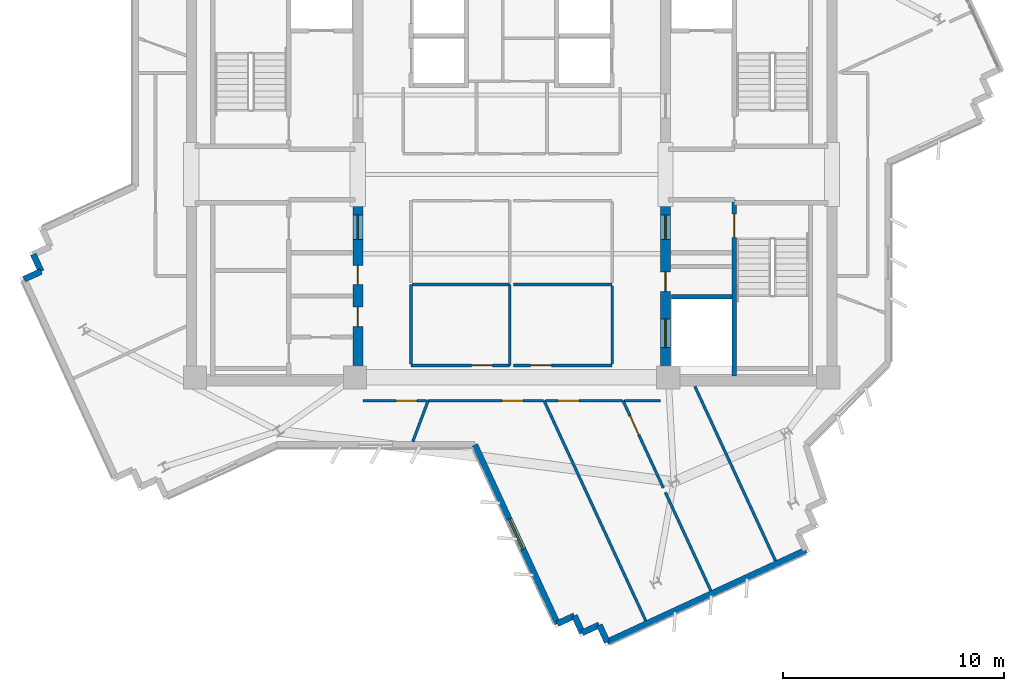
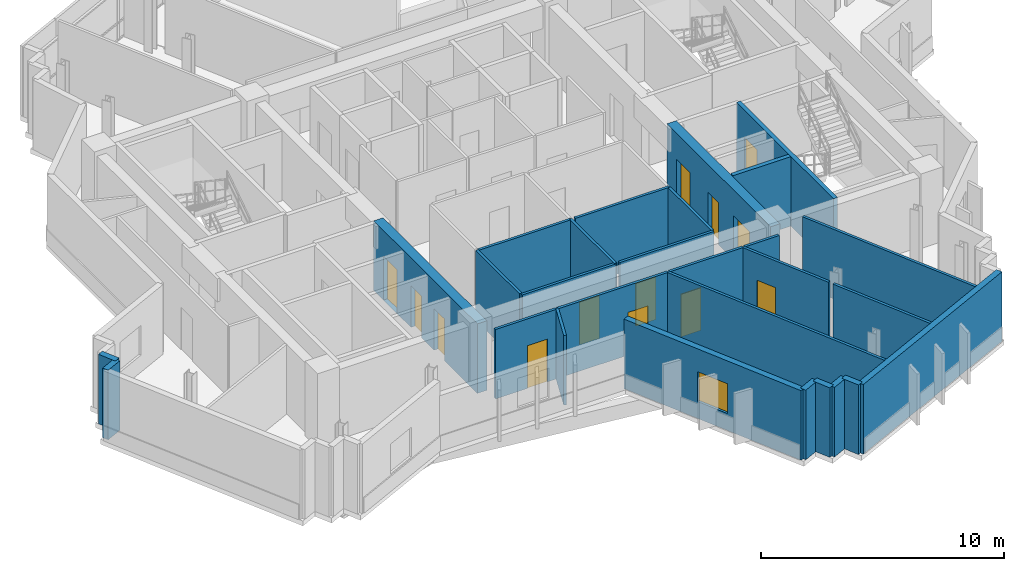
# One storey, part 5 of 12: 28 walls, 13 doors, 1 window, 14 openings.
"""IFC4 building model written with IfcOpenShell, lengths in metres."""

import ifcopenshell
import ifcopenshell.guid

model = None  # the IFC model being written
_history = None  # IfcOwnerHistory: only IFC2X3 demands one
_inside = {}  # id of a spatial element -> (the spatial element, [elements in it])
_under = {}  # id of a project, library or spatial element -> (it, [spatial elements below it])
_declared = {}  # id of a project -> (the project, [libraries it declares])
_typed = {}  # id of a type object -> (the type object, [elements of that type])
_made_of = {}  # id of a material, layer set ... -> (it, [elements and type objects made of it])


def new_model(schema):
    """Start an empty IFC model of exactly this schema.

    Asked for "IFC4X3", IfcOpenShell would pick the latest addendum, in which some entities
    have other attributes; the version numbers below select the first issue.
    IFC2X3 requires an IfcOwnerHistory on every rooted entity: one is made here for all.
    """
    global model, _history
    if schema == "IFC4X3":
        model = ifcopenshell.file(schema_version=(4, 3, 0, 0))
    else:
        model = ifcopenshell.file(schema=schema)
    _inside.clear()
    _under.clear()
    _declared.clear()
    _typed.clear()
    _made_of.clear()
    _history = None
    if model.schema == "IFC2X3":
        org = make("IfcOrganization", Name="unknown")
        user = make(
            "IfcPersonAndOrganization",
            ThePerson=make("IfcPerson", FamilyName="unknown"),
            TheOrganization=org,
        )
        app = make(
            "IfcApplication",
            ApplicationDeveloper=org,
            Version="unknown",
            ApplicationFullName="unknown",
            ApplicationIdentifier="unknown",
        )
        _history = make(
            "IfcOwnerHistory",
            OwningUser=user,
            OwningApplication=app,
            ChangeAction="ADDED",
            CreationDate=0,
        )
    return model


def make(cls, **values):
    """One entity of the class cls with the attributes given. An attribute that is None is left unset."""
    return model.create_entity(
        cls, **{name: value for name, value in values.items() if value is not None}
    )


def rooted(cls, **values):
    """An entity with a GlobalId (a new one), such as an element, a storey or a relation."""
    return make(cls, GlobalId=ifcopenshell.guid.new(), OwnerHistory=_history, **values)


def si_unit(unit_type, name, prefix=None):
    """IfcSIUnit, for example si_unit("LENGTHUNIT", "METRE", prefix="MILLI")."""
    return make("IfcSIUnit", UnitType=unit_type, Prefix=prefix, Name=name)


def assignment(units):
    """IfcUnitAssignment: the units of a project."""
    return None if units is None else make("IfcUnitAssignment", Units=units)


def point(xyz):
    """IfcCartesianPoint."""
    return None if xyz is None else make("IfcCartesianPoint", Coordinates=xyz)


def direction(xyz):
    """IfcDirection."""
    return None if xyz is None else make("IfcDirection", DirectionRatios=xyz)


def frame(location, z_axis=None, x_axis=None):
    """IfcAxis2Placement3D, a coordinate frame: its origin and axes. An axis left out is left unset."""
    return make(
        "IfcAxis2Placement3D",
        Location=point(location),
        Axis=direction(z_axis),
        RefDirection=direction(x_axis),
    )


def frame_2d(location, x_axis=None):
    """IfcAxis2Placement2D, a coordinate frame in the plane: its origin and x axis."""
    return make(
        "IfcAxis2Placement2D", Location=point(location), RefDirection=direction(x_axis)
    )


def origin():
    """The frame at (0, 0, 0) with its axes left unset."""
    return frame((0.0, 0.0, 0.0))


def place(relative_to, where):
    """IfcLocalPlacement: puts the frame where relative to a parent placement (None: the world)."""
    return make(
        "IfcLocalPlacement", PlacementRelTo=relative_to, RelativePlacement=where
    )


def context(
    kind, dimensions, precision=None, world=None, true_north=None, identifier=None
):
    """IfcGeometricRepresentationContext, for example the 3D "Model" context."""
    return make(
        "IfcGeometricRepresentationContext",
        ContextIdentifier=identifier,
        ContextType=kind,
        CoordinateSpaceDimension=dimensions,
        Precision=precision,
        WorldCoordinateSystem=world,
        TrueNorth=true_north,
    )


def subcontext(parent, identifier, kind, view, scale=None):
    """IfcGeometricRepresentationSubContext, for example "Body" below "Model"."""
    return make(
        "IfcGeometricRepresentationSubContext",
        ContextIdentifier=identifier,
        ContextType=kind,
        ParentContext=parent,
        TargetScale=scale,
        TargetView=view,
    )


def project(units=None, contexts=None):
    """IfcProject with its units and contexts."""
    return rooted(
        "IfcProject",
        Name="project",
        RepresentationContexts=contexts,
        UnitsInContext=assignment(units),
    )


def spatial(cls, under=None, at=None, **own):
    """A site, building, storey or space (cls), placed at a placement, below another one or the project."""
    s = rooted(cls, ObjectPlacement=at, **own)
    if under is not None:
        _under.setdefault(under.id(), (under, []))[1].append(s)
    return s


def profile(cls, at=None, kind="AREA", **sizes):
    """A parametric profile (cls). Its sizes go by their IFC names, for example OverallWidth=200.0."""
    return make(cls, ProfileType=kind, Position=at, **sizes)


def rectangle(**sizes):
    """IfcRectangleProfileDef."""
    return profile("IfcRectangleProfileDef", **sizes)


def extrude(swept, where, along, depth):
    """IfcExtrudedAreaSolid: the profile swept, set in the frame where, extruded along a direction by depth."""
    return make(
        "IfcExtrudedAreaSolid",
        SweptArea=swept,
        Position=where,
        ExtrudedDirection=direction(along),
        Depth=depth,
    )


def shape(context_of_items, identifier, shape_type, items):
    """IfcShapeRepresentation: the items that make up one representation, for example the "Body"."""
    return make(
        "IfcShapeRepresentation",
        ContextOfItems=context_of_items,
        RepresentationIdentifier=identifier,
        RepresentationType=shape_type,
        Items=items,
    )


def source(mapping_origin, context_of_items, identifier, shape_type, items):
    """IfcRepresentationMap: a shape defined once, which mapped items show again and again."""
    return make(
        "IfcRepresentationMap",
        MappingOrigin=mapping_origin,
        MappedRepresentation=shape(context_of_items, identifier, shape_type, items),
    )


def transform(
    local_origin,
    x_axis=None,
    y_axis=None,
    z_axis=None,
    scale=None,
    scale2=None,
    scale3=None,
    uniform=True,
):
    """IfcCartesianTransformationOperator3D, or its non-uniform kind. x_axis, y_axis, z_axis: its Axis1, 2, 3."""
    if uniform:
        return make(
            "IfcCartesianTransformationOperator3D",
            Axis1=direction(x_axis),
            Axis2=direction(y_axis),
            LocalOrigin=point(local_origin),
            Scale=scale,
            Axis3=direction(z_axis),
        )
    return make(
        "IfcCartesianTransformationOperator3DnonUniform",
        Axis1=direction(x_axis),
        Axis2=direction(y_axis),
        LocalOrigin=point(local_origin),
        Scale=scale,
        Axis3=direction(z_axis),
        Scale2=scale2,
        Scale3=scale3,
    )


def mapped(mapping_source, mapping_target):
    """IfcMappedItem: shows the shape of a source again, moved by a transform."""
    return make(
        "IfcMappedItem", MappingSource=mapping_source, MappingTarget=mapping_target
    )


def material(Name=None, Category=None):
    """IfcMaterial."""
    return make("IfcMaterial", Name=Name, Category=Category)


def layer(
    of_material, thickness, ventilated=None, Name=None, Category=None, Priority=None
):
    """IfcMaterialLayer: one layer of a wall or slab, of a material (None: an air gap)."""
    return make(
        "IfcMaterialLayer",
        Material=of_material,
        LayerThickness=thickness,
        IsVentilated=ventilated,
        Name=Name,
        Category=Category,
        Priority=Priority,
    )


def layer_set(layers, Name=None):
    """IfcMaterialLayerSet."""
    return make("IfcMaterialLayerSet", MaterialLayers=layers, LayerSetName=Name)


def made_of(thing, what):
    """Note that an element or type object is made of a material, layer set ...; save() writes the relation."""
    if what is not None:
        _made_of.setdefault(what.id(), (what, []))[1].append(thing)
    return thing


def type_object(cls, material=None, **own):
    """A type object (cls), such as IfcWallType, which elements share."""
    return made_of(rooted(cls, **own), material)


def element(
    cls,
    number,
    at=None,
    inside=None,
    cuts=None,
    type_object=None,
    material=None,
    context=None,
    identifier="Body",
    shape_type=None,
    held_by="IfcProductDefinitionShape",
    body=None,
    shapes=None,
    **own,
):
    """One element of the class cls, such as IfcWall. Its Tag is "e" and its number.

    at: its placement. inside: the storey or other place that contains it. cuts: it is an
    opening in that element (IfcRelVoidsElement). A single representation is given by context,
    identifier, shape_type and body (its items); several are given by shapes. held_by: the class
    of the entity that holds the representations. save() writes the other relations.
    """
    e = rooted(cls, Tag="e%d" % number, ObjectPlacement=at, **own)
    if body is not None:
        shapes = [shape(context, identifier, shape_type, body)]
    if shapes is not None:
        e.Representation = make(held_by, Representations=shapes)
    if inside is not None:
        _inside.setdefault(inside.id(), (inside, []))[1].append(e)
    if cuts is not None:
        rooted(
            "IfcRelVoidsElement", RelatingBuildingElement=cuts, RelatedOpeningElement=e
        )
    if type_object is not None:
        _typed.setdefault(type_object.id(), (type_object, []))[1].append(e)
    return made_of(e, material)


def fill(opening, filler):
    """IfcRelFillsElement: the door or window that sits in an opening."""
    return rooted(
        "IfcRelFillsElement",
        RelatingOpeningElement=opening,
        RelatedBuildingElement=filler,
    )


def aggregate(whole, parts):
    """IfcRelAggregates: a whole, such as a stair, and the parts it consists of."""
    return rooted("IfcRelAggregates", RelatingObject=whole, RelatedObjects=parts)


def save(model, path):
    """Write the relations noted so far, then the file.

    IfcRelAggregates (storeys below a building ...), IfcRelContainedInSpatialStructure (elements
    in a storey), IfcRelDefinesByType, IfcRelAssociatesMaterial and IfcRelDeclares: one each for
    every whole, place, type object, material and project.
    """
    for whole, parts in _under.values():
        aggregate(whole, parts)
    for where, things in _inside.values():
        rooted(
            "IfcRelContainedInSpatialStructure",
            RelatedElements=things,
            RelatingStructure=where,
        )
    for kind, things in _typed.values():
        rooted("IfcRelDefinesByType", RelatedObjects=things, RelatingType=kind)
    for what, things in _made_of.values():
        rooted("IfcRelAssociatesMaterial", RelatedObjects=things, RelatingMaterial=what)
    for by, libraries in _declared.values():
        rooted("IfcRelDeclares", RelatingContext=by, RelatedDefinitions=libraries)
    model.write(path)


model = new_model("IFC4")

# Units and contexts
model_context = context("Model", 3, precision=1e-05, world=origin(), true_north=direction((0.0, 1.0)))
body_context = subcontext(model_context, "Body", "Model", "MODEL_VIEW")
ifc_project = project(units=[si_unit("LENGTHUNIT", "METRE"), si_unit("AREAUNIT", "SQUARE_METRE"), si_unit("VOLUMEUNIT", "CUBIC_METRE"), si_unit("PLANEANGLEUNIT", "RADIAN"), si_unit("MASSUNIT", "GRAM", prefix="KILO")], contexts=[model_context])

# Site, building, storey
site_placement = place(None, origin())
site = spatial("IfcSite", under=ifc_project, at=site_placement, CompositionType="ELEMENT")
building_placement = place(site_placement, origin())
building = spatial("IfcBuilding", under=site, at=building_placement, Name="Zahravan Cultural Tower", CompositionType="ELEMENT")
storey_placement = place(building_placement, frame((0.0, 0.0, 242.85009765625)))
storey = spatial("IfcBuildingStorey", under=building, at=storey_placement, Name="L57", CompositionType="ELEMENT", Elevation=242.85009765625)

# Wall, openings, doors
ifc_material_1 = material(Name="Concrete C50/60", Category="concrete")
ifc_layer_1 = layer(ifc_material_1, 0.449951171875)
ifc_layer_set_1 = layer_set([ifc_layer_1], Name="Concrete C50/60")
wall_type_1 = type_object("IfcWallType", Name="CW-SHEAR-450-C50", PredefinedType="SHEAR", material=ifc_layer_set_1)
wall_1_placement = place(storey_placement, frame((29.02490234375, 17.39990234375, 0.0), z_axis=(0.0, 0.0, 1.0), x_axis=(0.0, 1.0, 0.0)))
wall_1 = element("IfcWall", 1, at=wall_1_placement, inside=storey, type_object=wall_type_1, Name="L57 Core Shear Wall CW-W-ES-L57", PredefinedType="SHEAR", context=body_context, shape_type="SweptSolid", body=[
    extrude(rectangle(XDim=8.550048828125, YDim=0.449951171875, at=frame_2d((4.27490234375, 0.0))), origin(), (0.0, 0.0, 1.0), 3.5),
])
opening_1_placement = place(wall_1_placement, frame((6.64990234375, 0.0, 0.0)))
opening_1 = element("IfcOpeningElement", 2, at=opening_1_placement, cuts=wall_1, Name="Opening D-L57-08", PredefinedType="OPENING", context=body_context, shape_type="SweptSolid", body=[
    extrude(rectangle(XDim=1.10009765625, YDim=2.199951171875, at=frame_2d((0.550048828125, 1.10009765625))), frame((0.0, 0.23486328125, 0.0), z_axis=(0.0, -1.0, 0.0), x_axis=(1.0, 0.0, 0.0)), (0.0, 0.0, 1.0), 0.469970703125),
])
opening_2_placement = place(wall_1_placement, frame((2.699951171875, 0.0, 0.0)))
opening_2 = element("IfcOpeningElement", 3, at=opening_2_placement, cuts=wall_1, Name="Opening D-L57-11", PredefinedType="OPENING", context=body_context, shape_type="SweptSolid", body=[
    extrude(rectangle(XDim=0.8798828125, YDim=2.10009765625, at=frame_2d((0.43994140625, 1.050048828125))), frame((0.0, 0.23486328125, 0.0), z_axis=(0.0, -1.0, 0.0), x_axis=(1.0, 0.0, 0.0)), (0.0, 0.0, 1.0), 0.469970703125),
])
opening_3_placement = place(wall_1_placement, frame((4.60009765625, 0.0, 0.0)))
opening_3 = element("IfcOpeningElement", 4, at=opening_3_placement, cuts=wall_1, Name="Opening D-L57-12", PredefinedType="OPENING", context=body_context, shape_type="SweptSolid", body=[
    extrude(rectangle(XDim=0.8798828125, YDim=2.10009765625, at=frame_2d((0.43994140625, 1.050048828125))), frame((0.0, 0.23486328125, 0.0), z_axis=(0.0, -1.0, 0.0), x_axis=(1.0, 0.0, 0.0)), (0.0, 0.0, 1.0), 0.469970703125),
])
ifc_material_2 = material(Name="Steel ASTM A572 Grade 50", Category="steel")
door_type_1 = type_object("IfcDoorType", Name="DR-LOBBY-1100", OperationType="NOTDEFINED", PredefinedType="DOOR", material=ifc_material_2)
shared_shape_1 = source(origin(), body_context, "Body", "SweptSolid", [
    extrude(rectangle(XDim=1.10009765625, YDim=2.199951171875, at=frame_2d((0.550048828125, 1.10009765625))), frame((0.0, 0.02490234375, 0.0), z_axis=(0.0, -1.0, 0.0), x_axis=(1.0, 0.0, 0.0)), (0.0, 0.0, 1.0), 0.050048828125),
])
door_1_placement = place(opening_1_placement, origin())
door_1 = element("IfcDoor", 5, at=door_1_placement, inside=storey, type_object=door_type_1, Name="L57 Door D-L57-08", OperationType="SINGLE_SWING_RIGHT", OverallHeight=2.199951171875, OverallWidth=1.10009765625, PredefinedType="DOOR", context=body_context, shape_type="MappedRepresentation", body=[
    mapped(shared_shape_1, transform((0.0, 0.0, 0.0), x_axis=(1.0, 0.0, 0.0), y_axis=(0.0, 1.0, 0.0), z_axis=(0.0, 0.0, 1.0), scale=1.0)),
])
fill(opening_1, door_1)
door_type_2 = type_object("IfcDoorType", Name="DR-SVC-880", OperationType="NOTDEFINED", PredefinedType="DOOR", material=ifc_material_2)
shared_shape_2 = source(origin(), body_context, "Body", "SweptSolid", [
    extrude(rectangle(XDim=0.8798828125, YDim=2.10009765625, at=frame_2d((0.43994140625, 1.050048828125))), frame((0.0, 0.02490234375, 0.0), z_axis=(0.0, -1.0, 0.0), x_axis=(1.0, 0.0, 0.0)), (0.0, 0.0, 1.0), 0.050048828125),
])
door_2_placement = place(opening_2_placement, origin())
door_2 = element("IfcDoor", 6, at=door_2_placement, inside=storey, type_object=door_type_2, Name="L57 Door D-L57-11", OperationType="SINGLE_SWING_LEFT", OverallHeight=2.10009765625, OverallWidth=0.8798828125, PredefinedType="DOOR", context=body_context, shape_type="MappedRepresentation", body=[
    mapped(shared_shape_2, transform((0.0, 0.0, 0.0), x_axis=(1.0, 0.0, 0.0), y_axis=(0.0, 1.0, 0.0), z_axis=(0.0, 0.0, 1.0), scale=1.0)),
])
fill(opening_2, door_2)
door_3_placement = place(opening_3_placement, origin())
door_3 = element("IfcDoor", 7, at=door_3_placement, inside=storey, type_object=door_type_2, Name="L57 Door D-L57-12", OperationType="SINGLE_SWING_RIGHT", OverallHeight=2.10009765625, OverallWidth=0.8798828125, PredefinedType="DOOR", context=body_context, shape_type="MappedRepresentation", body=[
    mapped(shared_shape_2, transform((0.0, 0.0, 0.0), x_axis=(1.0, 0.0, 0.0), y_axis=(0.0, 1.0, 0.0), z_axis=(0.0, 0.0, 1.0), scale=1.0)),
])
fill(opening_3, door_3)

wall_2_placement = place(storey_placement, frame((42.97509765625, 17.39990234375, 0.0), z_axis=(0.0, 0.0, 1.0), x_axis=(0.0, 1.0, 0.0)))
wall_2 = element("IfcWall", 8, at=wall_2_placement, inside=storey, type_object=wall_type_1, Name="L57 Core Shear Wall CW-E-WS-L57", PredefinedType="SHEAR", context=body_context, shape_type="SweptSolid", body=[
    extrude(rectangle(XDim=8.550048828125, YDim=0.449951171875, at=frame_2d((4.27490234375, 0.0))), origin(), (0.0, 0.0, 1.0), 3.5),
])
opening_4_placement = place(wall_2_placement, frame((6.64990234375, 0.0, 0.0)))
opening_4 = element("IfcOpeningElement", 9, at=opening_4_placement, cuts=wall_2, Name="Opening D-L57-09", PredefinedType="OPENING", context=body_context, shape_type="SweptSolid", body=[
    extrude(rectangle(XDim=1.10009765625, YDim=2.199951171875, at=frame_2d((0.550048828125, 1.10009765625))), frame((0.0, 0.23486328125, 0.0), z_axis=(0.0, -1.0, 0.0), x_axis=(1.0, 0.0, 0.0)), (0.0, 0.0, 1.0), 0.469970703125),
])
opening_5_placement = place(wall_2_placement, frame((1.75, 0.0, 0.0)))
opening_5 = element("IfcOpeningElement", 10, at=opening_5_placement, cuts=wall_2, Name="Opening LD-L57-03", PredefinedType="OPENING", context=body_context, shape_type="SweptSolid", body=[
    extrude(rectangle(XDim=1.300048828125, YDim=2.199951171875, at=frame_2d((0.64990234375, 1.10009765625))), frame((0.0, 0.23486328125, 0.0), z_axis=(0.0, -1.0, 0.0), x_axis=(1.0, 0.0, 0.0)), (0.0, 0.0, 1.0), 0.469970703125),
])
opening_6_placement = place(wall_2_placement, frame((4.300048828125, 0.0, 0.0)))
opening_6 = element("IfcOpeningElement", 11, at=opening_6_placement, cuts=wall_2, Name="Opening D-L57-13", PredefinedType="OPENING", context=body_context, shape_type="SweptSolid", body=[
    extrude(rectangle(XDim=0.8798828125, YDim=2.10009765625, at=frame_2d((0.43994140625, 1.050048828125))), frame((0.0, 0.23486328125, 0.0), z_axis=(0.0, -1.0, 0.0), x_axis=(1.0, 0.0, 0.0)), (0.0, 0.0, 1.0), 0.469970703125),
])
door_4_placement = place(opening_4_placement, origin())
door_4 = element("IfcDoor", 12, at=door_4_placement, inside=storey, type_object=door_type_1, Name="L57 Door D-L57-09", OperationType="SINGLE_SWING_LEFT", OverallHeight=2.199951171875, OverallWidth=1.10009765625, PredefinedType="DOOR", context=body_context, shape_type="MappedRepresentation", body=[
    mapped(shared_shape_1, transform((0.0, 0.0, 0.0), x_axis=(1.0, 0.0, 0.0), y_axis=(0.0, 1.0, 0.0), z_axis=(0.0, 0.0, 1.0), scale=1.0)),
])
fill(opening_4, door_4)
door_type_3 = type_object("IfcDoorType", Name="DR-LIFT-1300", OperationType="DOUBLE_DOOR_SLIDING", PredefinedType="DOOR", material=ifc_material_2)
shared_shape_3 = source(origin(), body_context, "Body", "SweptSolid", [
    extrude(rectangle(XDim=1.300048828125, YDim=2.199951171875, at=frame_2d((0.64990234375, 1.10009765625))), frame((0.0, 0.02490234375, 0.0), z_axis=(0.0, -1.0, 0.0), x_axis=(1.0, 0.0, 0.0)), (0.0, 0.0, 1.0), 0.050048828125),
])
door_5_placement = place(opening_5_placement, origin())
door_5 = element("IfcDoor", 13, at=door_5_placement, inside=storey, type_object=door_type_3, Name="L57 Door LD-L57-03", OperationType="DOUBLE_DOOR_SLIDING", OverallHeight=2.199951171875, OverallWidth=1.300048828125, PredefinedType="DOOR", context=body_context, shape_type="MappedRepresentation", body=[
    mapped(shared_shape_3, transform((0.0, 0.0, 0.0), x_axis=(1.0, 0.0, 0.0), y_axis=(0.0, 1.0, 0.0), z_axis=(0.0, 0.0, 1.0), scale=1.0)),
])
fill(opening_5, door_5)
door_6_placement = place(opening_6_placement, origin())
door_6 = element("IfcDoor", 14, at=door_6_placement, inside=storey, type_object=door_type_2, Name="L57 Door D-L57-13", OperationType="SINGLE_SWING_LEFT", OverallHeight=2.10009765625, OverallWidth=0.8798828125, PredefinedType="DOOR", context=body_context, shape_type="MappedRepresentation", body=[
    mapped(shared_shape_2, transform((0.0, 0.0, 0.0), x_axis=(1.0, 0.0, 0.0), y_axis=(0.0, 1.0, 0.0), z_axis=(0.0, 0.0, 1.0), scale=1.0)),
])
fill(opening_6, door_6)

# Wall, opening, window
ifc_material_3 = material(Name="Precast concrete C40/50", Category="concrete")
ifc_layer_2 = layer(ifc_material_3, 0.280029296875)
ifc_layer_set_2 = layer_set([ifc_layer_2], Name="Precast concrete C40/50")
wall_type_2 = type_object("IfcWallType", Name="EW-TC-280", PredefinedType="SOLIDWALL", material=ifc_layer_set_2)
wall_3_placement = place(storey_placement, frame((38.07470703125, 6.6318359375, 0.0), z_axis=(0.0, 0.0, 1.0), x_axis=(-0.419437747849, 0.90778410191, 0.0)))
wall_3 = element("IfcWall", 15, at=wall_3_placement, inside=storey, type_object=wall_type_2, Name="L57 Exterior Masonry Frame Wall 23", PredefinedType="SOLIDWALL", context=body_context, shape_type="SweptSolid", body=[
    extrude(rectangle(XDim=8.931884765625, YDim=0.280029296875, at=frame_2d((4.4658203125, 0.0))), origin(), (0.0, 0.0, 1.0), 3.5),
])
opening_7_placement = place(wall_3_placement, frame((3.716064453125, 0.0, 0.85009765625)))
opening_7 = element("IfcOpeningElement", 16, at=opening_7_placement, cuts=wall_3, Name="Opening WN-03", PredefinedType="OPENING", context=body_context, shape_type="SweptSolid", body=[
    extrude(rectangle(XDim=1.5, YDim=1.5, at=frame_2d((0.75, 0.75))), frame((0.0, 0.14990234375, 0.0), z_axis=(0.0, -1.0, 0.0), x_axis=(1.0, 0.0, 0.0)), (0.0, 0.0, 1.0), 0.300048828125),
])
ifc_material_4 = material(Name="Low-E solar-control double glazing", Category="glass")
window_type = type_object("IfcWindowType", Name="WN-REC-1500X1500", PartitioningType="SINGLE_PANEL", PredefinedType="WINDOW", material=ifc_material_4)
shared_shape_4 = source(origin(), body_context, "Body", "SweptSolid", [
    extrude(rectangle(XDim=1.5, YDim=1.5, at=frame_2d((0.75, 0.75))), frame((0.0, 0.030029296875, 0.0), z_axis=(0.0, -1.0, 0.0), x_axis=(1.0, 0.0, 0.0)), (0.0, 0.0, 1.0), 0.06005859375),
])
window_placement = place(opening_7_placement, origin())
window = element("IfcWindow", 17, at=window_placement, inside=storey, type_object=window_type, Name="L57 Recessed Solar Window 05", OverallHeight=1.5, OverallWidth=1.5, PartitioningType="SINGLE_PANEL", PredefinedType="WINDOW", context=body_context, shape_type="MappedRepresentation", body=[
    mapped(shared_shape_4, transform((0.0, 0.0, 0.0), x_axis=(1.0, 0.0, 0.0), y_axis=(0.0, 1.0, 0.0), z_axis=(0.0, 0.0, 1.0), scale=1.0)),
])
fill(opening_7, window)

# Wall, opening, door
ifc_material_5 = material(Name="Gypsum plasterboard partition")
ifc_layer_3 = layer(ifc_material_5, 0.125)
ifc_layer_set_3 = layer_set([ifc_layer_3], Name="Gypsum plasterboard partition")
wall_type_3 = type_object("IfcWallType", Name="W-PART-125", PredefinedType="PARTITIONING", material=ifc_layer_set_3)
wall_4_placement = place(storey_placement, frame((35.909912109375, 18.340087890625, 0.0), z_axis=(0.0, 0.0, 1.0), x_axis=(-1.0, 0.0, 0.0)))
wall_4 = element("IfcWall", 18, at=wall_4_placement, inside=storey, type_object=wall_type_3, Name="L57 Interior Wall 058", PredefinedType="PARTITIONING", context=body_context, shape_type="SweptSolid", body=[
    extrude(rectangle(XDim=4.469970703125, YDim=0.125, at=frame_2d((2.23486328125, 0.0))), origin(), (0.0, 0.0, 1.0), 3.5),
])
opening_8_placement = place(wall_4_placement, frame((0.7744140625, 0.0, 0.0)))
opening_8 = element("IfcOpeningElement", 19, at=opening_8_placement, cuts=wall_4, Name="Opening D-L57-14", PredefinedType="OPENING", context=body_context, shape_type="SweptSolid", body=[
    extrude(rectangle(XDim=0.949951171875, YDim=2.14990234375, at=frame_2d((0.47509765625, 1.074951171875))), frame((0.0, 0.072509765625, 0.0), z_axis=(0.0, -1.0, 0.0), x_axis=(1.0, 0.0, 0.0)), (0.0, 0.0, 1.0), 0.14501953125),
])
ifc_material_6 = material(Name="Anodised bronze-aluminium mullion", Category="aluminium")
door_type_4 = type_object("IfcDoorType", Name="DR-ROOM-950", OperationType="NOTDEFINED", PredefinedType="DOOR", material=ifc_material_6)
shared_shape_5 = source(origin(), body_context, "Body", "SweptSolid", [
    extrude(rectangle(XDim=0.949951171875, YDim=2.14990234375, at=frame_2d((0.47509765625, 1.074951171875))), frame((0.0, 0.02490234375, 0.0), z_axis=(0.0, -1.0, 0.0), x_axis=(1.0, 0.0, 0.0)), (0.0, 0.0, 1.0), 0.050048828125),
])
door_7_placement = place(opening_8_placement, origin())
door_7 = element("IfcDoor", 20, at=door_7_placement, inside=storey, type_object=door_type_4, Name="L57 Door D-L57-14", OperationType="SINGLE_SWING_RIGHT", OverallHeight=2.14990234375, OverallWidth=0.949951171875, PredefinedType="DOOR", context=body_context, shape_type="MappedRepresentation", body=[
    mapped(shared_shape_5, transform((0.0, 0.0, 0.0), x_axis=(1.0, 0.0, 0.0), y_axis=(0.0, 1.0, 0.0), z_axis=(0.0, 0.0, 1.0), scale=1.0)),
])
fill(opening_8, door_7)

wall_5_placement = place(storey_placement, frame((40.56005859375, 18.340087890625, 0.0), z_axis=(0.0, 0.0, 1.0), x_axis=(-1.0, 0.0, 0.0)))
wall_5 = element("IfcWall", 21, at=wall_5_placement, inside=storey, type_object=wall_type_3, Name="L57 Interior Wall 062", PredefinedType="PARTITIONING", context=body_context, shape_type="SweptSolid", body=[
    extrude(rectangle(XDim=4.469970703125, YDim=0.125, at=frame_2d((2.23486328125, 0.0))), origin(), (0.0, 0.0, 1.0), 3.5),
])
opening_9_placement = place(wall_5_placement, frame((2.74560546875, 0.0, 0.0)))
opening_9 = element("IfcOpeningElement", 22, at=opening_9_placement, cuts=wall_5, Name="Opening D-L57-16", PredefinedType="OPENING", context=body_context, shape_type="SweptSolid", body=[
    extrude(rectangle(XDim=0.949951171875, YDim=2.14990234375, at=frame_2d((0.47509765625, 1.074951171875))), frame((0.0, 0.072509765625, 0.0), z_axis=(0.0, -1.0, 0.0), x_axis=(1.0, 0.0, 0.0)), (0.0, 0.0, 1.0), 0.14501953125),
])
door_8_placement = place(opening_9_placement, origin())
door_8 = element("IfcDoor", 23, at=door_8_placement, inside=storey, type_object=door_type_4, Name="L57 Door D-L57-16", OperationType="SINGLE_SWING_RIGHT", OverallHeight=2.14990234375, OverallWidth=0.949951171875, PredefinedType="DOOR", context=body_context, shape_type="MappedRepresentation", body=[
    mapped(shared_shape_5, transform((0.0, 0.0, 0.0), x_axis=(1.0, 0.0, 0.0), y_axis=(0.0, 1.0, 0.0), z_axis=(0.0, 0.0, 1.0), scale=1.0)),
])
fill(opening_9, door_8)

wall_6_placement = place(storey_placement, frame((42.877197265625, 12.78369140625, 0.0), z_axis=(0.0, 0.0, 1.0), x_axis=(-0.419416941906, 0.907793714917, 0.0)))
wall_6 = element("IfcWall", 24, at=wall_6_placement, inside=storey, type_object=wall_type_3, Name="L57 Interior Wall 075", PredefinedType="PARTITIONING", context=body_context, shape_type="SweptSolid", body=[
    extrude(rectangle(XDim=4.358154296875, YDim=0.125, at=frame_2d((2.17919921875, 0.0))), origin(), (0.0, 0.0, 1.0), 3.5),
])
opening_10_placement = place(wall_6_placement, frame((2.658203125, 0.0, 0.0)))
opening_10 = element("IfcOpeningElement", 25, at=opening_10_placement, cuts=wall_6, Name="Opening D-L57-34", PredefinedType="OPENING", context=body_context, shape_type="SweptSolid", body=[
    extrude(rectangle(XDim=0.949951171875, YDim=2.14990234375, at=frame_2d((0.47509765625, 1.074951171875))), frame((0.0, 0.072509765625, 0.0), z_axis=(0.0, -1.0, 0.0), x_axis=(1.0, 0.0, 0.0)), (0.0, 0.0, 1.0), 0.14501953125),
])
door_9_placement = place(opening_10_placement, origin())
door_9 = element("IfcDoor", 26, at=door_9_placement, inside=storey, type_object=door_type_4, Name="L57 Door D-L57-34", OperationType="SINGLE_SWING_RIGHT", OverallHeight=2.14990234375, OverallWidth=0.949951171875, PredefinedType="DOOR", context=body_context, shape_type="MappedRepresentation", body=[
    mapped(shared_shape_5, transform((0.0, 0.0, 0.0), x_axis=(1.0, 0.0, 0.0), y_axis=(0.0, 1.0, 0.0), z_axis=(0.0, 0.0, 1.0), scale=1.0)),
])
fill(opening_10, door_9)

wall_7_placement = place(storey_placement, frame((37.54345703125, 16.739990234375, 0.0), z_axis=(0.0, 0.0, 1.0), x_axis=(1.0, 0.0, 0.0)))
wall_7 = element("IfcWall", 27, at=wall_7_placement, inside=storey, type_object=wall_type_3, Name="L57 Interior Wall 079", PredefinedType="PARTITIONING", context=body_context, shape_type="SweptSolid", body=[
    extrude(rectangle(XDim=3.483642578125, YDim=0.125, at=frame_2d((1.74169921875, 0.0))), origin(), (0.0, 0.0, 1.0), 3.5),
])
opening_11_placement = place(wall_7_placement, frame((0.557373046875, 0.0, 0.0)))
opening_11 = element("IfcOpeningElement", 28, at=opening_11_placement, cuts=wall_7, Name="Opening D-L57-30", PredefinedType="OPENING", context=body_context, shape_type="SweptSolid", body=[
    extrude(rectangle(XDim=0.949951171875, YDim=2.14990234375, at=frame_2d((0.47509765625, 1.074951171875))), frame((0.0, 0.072509765625, 0.0), z_axis=(0.0, -1.0, 0.0), x_axis=(1.0, 0.0, 0.0)), (0.0, 0.0, 1.0), 0.14501953125),
])
door_10_placement = place(opening_11_placement, origin())
door_10 = element("IfcDoor", 29, at=door_10_placement, inside=storey, type_object=door_type_4, Name="L57 Door D-L57-30", OperationType="SINGLE_SWING_RIGHT", OverallHeight=2.14990234375, OverallWidth=0.949951171875, PredefinedType="DOOR", context=body_context, shape_type="MappedRepresentation", body=[
    mapped(shared_shape_5, transform((0.0, 0.0, 0.0), x_axis=(1.0, 0.0, 0.0), y_axis=(0.0, 1.0, 0.0), z_axis=(0.0, 0.0, 1.0), scale=1.0)),
])
fill(opening_11, door_10)

wall_8_placement = place(storey_placement, frame((32.211181640625, 16.739990234375, 0.0), z_axis=(0.0, 0.0, 1.0), x_axis=(1.0, 0.0, 0.0)))
wall_8 = element("IfcWall", 30, at=wall_8_placement, inside=storey, type_object=wall_type_3, Name="L57 Interior Wall 095", PredefinedType="PARTITIONING", context=body_context, shape_type="SweptSolid", body=[
    extrude(rectangle(XDim=5.23583984375, YDim=0.125, at=frame_2d((2.617919921875, 0.0))), origin(), (0.0, 0.0, 1.0), 3.5),
])
opening_12_placement = place(wall_8_placement, frame((3.343017578125, 0.0, 0.0)))
opening_12 = element("IfcOpeningElement", 31, at=opening_12_placement, cuts=wall_8, Name="Opening D-L57-29", PredefinedType="OPENING", context=body_context, shape_type="SweptSolid", body=[
    extrude(rectangle(XDim=0.949951171875, YDim=2.14990234375, at=frame_2d((0.47509765625, 1.074951171875))), frame((0.0, 0.072509765625, 0.0), z_axis=(0.0, -1.0, 0.0), x_axis=(1.0, 0.0, 0.0)), (0.0, 0.0, 1.0), 0.14501953125),
])
door_11_placement = place(opening_12_placement, origin())
door_11 = element("IfcDoor", 32, at=door_11_placement, inside=storey, type_object=door_type_4, Name="L57 Door D-L57-29", OperationType="SINGLE_SWING_LEFT", OverallHeight=2.14990234375, OverallWidth=0.949951171875, PredefinedType="DOOR", context=body_context, shape_type="MappedRepresentation", body=[
    mapped(shared_shape_5, transform((0.0, 0.0, 0.0), x_axis=(1.0, 0.0, 0.0), y_axis=(0.0, 1.0, 0.0), z_axis=(0.0, 0.0, 1.0), scale=1.0)),
])
fill(opening_12, door_11)

wall_9_placement = place(storey_placement, frame((29.25341796875, 16.7412109375, 0.0), z_axis=(0.0, 0.0, 1.0), x_axis=(0.999999910531, -0.000423011806, 0.0)))
wall_9 = element("IfcWall", 33, at=wall_9_placement, inside=storey, type_object=wall_type_3, Name="L57 Interior Wall 101", PredefinedType="PARTITIONING", context=body_context, shape_type="SweptSolid", body=[
    extrude(rectangle(XDim=2.8857421875, YDim=0.125, at=frame_2d((1.44287109375, 0.0))), origin(), (0.0, 0.0, 1.0), 3.5),
])
opening_13_placement = place(wall_9_placement, frame((1.510009765625, 0.0, 0.0)))
opening_13 = element("IfcOpeningElement", 34, at=opening_13_placement, cuts=wall_9, Name="Opening D-L57-28", PredefinedType="OPENING", context=body_context, shape_type="SweptSolid", body=[
    extrude(rectangle(XDim=0.949951171875, YDim=2.14990234375, at=frame_2d((0.47509765625, 1.074951171875))), frame((0.0, 0.072509765625, 0.0), z_axis=(0.0, -1.0, 0.0), x_axis=(1.0, 0.0, 0.0)), (0.0, 0.0, 1.0), 0.14501953125),
])
door_12_placement = place(opening_13_placement, origin())
door_12 = element("IfcDoor", 35, at=door_12_placement, inside=storey, type_object=door_type_4, Name="L57 Door D-L57-28", OperationType="SINGLE_SWING_RIGHT", OverallHeight=2.14990234375, OverallWidth=0.949951171875, PredefinedType="DOOR", context=body_context, shape_type="MappedRepresentation", body=[
    mapped(shared_shape_5, transform((0.0, 0.0, 0.0), x_axis=(1.0, 0.0, 0.0), y_axis=(0.0, 1.0, 0.0), z_axis=(0.0, 0.0, 1.0), scale=1.0)),
])
fill(opening_13, door_12)

ifc_material_7 = material(Name="Concrete C45/55", Category="concrete")
ifc_layer_4 = layer(ifc_material_7, 0.199951171875)
ifc_layer_set_4 = layer_set([ifc_layer_4], Name="Concrete C45/55")
wall_type_4 = type_object("IfcWallType", Name="W-SHAFT-200", PredefinedType="SOLIDWALL", material=ifc_layer_set_4)
wall_10_placement = place(storey_placement, frame((46.10009765625, 17.85009765625, 0.0), z_axis=(0.0, 0.0, 1.0), x_axis=(0.0, 1.0, 0.0)))
wall_10 = element("IfcWall", 36, at=wall_10_placement, inside=storey, type_object=wall_type_4, Name="L57 Interior Wall 007", PredefinedType="SOLIDWALL", context=body_context, shape_type="SweptSolid", body=[
    extrude(rectangle(XDim=8.0, YDim=0.199951171875, at=frame_2d((4.0, 0.0))), origin(), (0.0, 0.0, 1.0), 3.5),
])
opening_14_placement = place(wall_10_placement, frame((6.300048828125, 0.0, 0.0)))
opening_14 = element("IfcOpeningElement", 37, at=opening_14_placement, cuts=wall_10, Name="Opening D-L57-03", PredefinedType="OPENING", context=body_context, shape_type="SweptSolid", body=[
    extrude(rectangle(XDim=1.050048828125, YDim=2.14990234375, at=frame_2d((0.52490234375, 1.074951171875))), frame((0.0, 0.10986328125, 0.0), z_axis=(0.0, -1.0, 0.0), x_axis=(1.0, 0.0, 0.0)), (0.0, 0.0, 1.0), 0.219970703125),
])
door_type_5 = type_object("IfcDoorType", Name="DR-STAIR-1050", OperationType="NOTDEFINED", PredefinedType="DOOR", material=ifc_material_2)
shared_shape_6 = source(origin(), body_context, "Body", "SweptSolid", [
    extrude(rectangle(XDim=1.050048828125, YDim=2.14990234375, at=frame_2d((0.52490234375, 1.074951171875))), frame((0.0, 0.02490234375, 0.0), z_axis=(0.0, -1.0, 0.0), x_axis=(1.0, 0.0, 0.0)), (0.0, 0.0, 1.0), 0.050048828125),
])
door_13_placement = place(opening_14_placement, origin())
door_13 = element("IfcDoor", 38, at=door_13_placement, inside=storey, type_object=door_type_5, Name="L57 Door D-L57-03", OperationType="SINGLE_SWING_LEFT", OverallHeight=2.14990234375, OverallWidth=1.050048828125, PredefinedType="DOOR", context=body_context, shape_type="MappedRepresentation", body=[
    mapped(shared_shape_6, transform((0.0, 0.0, 0.0), x_axis=(1.0, 0.0, 0.0), y_axis=(0.0, 1.0, 0.0), z_axis=(0.0, 0.0, 1.0), scale=1.0)),
])
fill(opening_14, door_13)

# Walls
shared_shape_7 = source(origin(), body_context, "Body", "SweptSolid", [
    extrude(rectangle(XDim=0.85009765625, YDim=0.280029296875, at=frame_2d((0.425048828125, 0.0))), origin(), (0.0, 0.0, 1.0), 3.5),
])
for number, where, z_axis, x_axis, name in (
    (39, (39.974609375, 6.5732421875, 0.0), (0.0, 0.0, 1.0), (-0.907841666427, -0.419313139191, 0.0), "L57 Exterior Masonry Frame Wall 20"),
    (40, (38.846435546875, 6.98828125, 0.0), (0.0, 0.0, 1.0), (-0.907841666427, -0.419313139191, 0.0), "L57 Exterior Masonry Frame Wall 22"),
    (41, (13.893798828125, 22.24951171875, 0.0), (0.0, 0.0, 1.0), (0.907841666427, 0.419313139191, 0.0), "L57 Exterior Masonry Frame Wall 31"),
    (42, (14.66552734375, 22.60595703125, 0.0), (0.0, 0.0, 1.0), (-0.419313139191, 0.907841666427, 0.0), "L57 Exterior Masonry Frame Wall 32"),
):
    element("IfcWall", number, at=place(storey_placement, frame(where, z_axis=z_axis, x_axis=x_axis)), inside=storey, type_object=wall_type_2, Name=name, PredefinedType="SOLIDWALL", context=body_context, shape_type="MappedRepresentation", body=[
        mapped(shared_shape_7, transform((0.0, 0.0, 0.0), x_axis=(1.0, 0.0, 0.0), y_axis=(0.0, 1.0, 0.0), z_axis=(0.0, 0.0, 1.0), scale=1.0)),
    ])
shared_shape_8 = source(origin(), body_context, "Body", "SweptSolid", [
    extrude(rectangle(XDim=0.849853515625, YDim=0.280029296875, at=frame_2d((0.4248046875, 0.0))), origin(), (0.0, 0.0, 1.0), 3.5),
])
for number, where, z_axis, x_axis, name in (
    (43, (40.3310546875, 5.8017578125, 0.0), (0.0, 0.0, 1.0), (-0.419422493365, 0.907791150023, 0.0), "L57 Exterior Masonry Frame Wall 19"),
    (44, (39.202880859375, 6.216796875, 0.0), (0.0, 0.0, 1.0), (-0.419422493365, 0.907791150023, 0.0), "L57 Exterior Masonry Frame Wall 21"),
):
    element("IfcWall", number, at=place(storey_placement, frame(where, z_axis=z_axis, x_axis=x_axis)), inside=storey, type_object=wall_type_2, Name=name, PredefinedType="SOLIDWALL", context=body_context, shape_type="MappedRepresentation", body=[
        mapped(shared_shape_8, transform((0.0, 0.0, 0.0), x_axis=(1.0, 0.0, 0.0), y_axis=(0.0, 1.0, 0.0), z_axis=(0.0, 0.0, 1.0), scale=1.0)),
    ])
shared_shape_9 = source(origin(), body_context, "Body", "SweptSolid", [
    extrude(rectangle(XDim=9.919921875, YDim=0.280029296875, at=frame_2d((4.9599609375, 0.0))), origin(), (0.0, 0.0, 1.0), 3.5),
])
wall_11_placement = place(storey_placement, frame((49.336181640625, 9.962646484375, 0.0), z_axis=(0.0, 0.0, 1.0), x_axis=(-0.907779940536, -0.419446754143, 0.0)))
element("IfcWall", 45, at=wall_11_placement, inside=storey, type_object=wall_type_2, Name="L57 Exterior Masonry Frame Wall 18", PredefinedType="SOLIDWALL", context=body_context, shape_type="MappedRepresentation", body=[
    mapped(shared_shape_9, transform((0.0, 0.0, 0.0), x_axis=(1.0, 0.0, 0.0), y_axis=(0.0, 1.0, 0.0), z_axis=(0.0, 0.0, 1.0), scale=1.0)),
])
shared_shape_10 = source(origin(), body_context, "Body", "SweptSolid", [
    extrude(rectangle(XDim=2.75, YDim=0.199951171875, at=frame_2d((1.375, 0.0))), origin(), (0.0, 0.0, 1.0), 3.5),
])
wall_12_placement = place(storey_placement, frame((43.25, 21.449951171875, 0.0), z_axis=(0.0, 0.0, 1.0), x_axis=(1.0, 0.0, 0.0)))
element("IfcWall", 46, at=wall_12_placement, inside=storey, type_object=wall_type_4, Name="L57 Interior Wall 026", PredefinedType="SOLIDWALL", context=body_context, shape_type="MappedRepresentation", body=[
    mapped(shared_shape_10, transform((0.0, 0.0, 0.0), x_axis=(1.0, 0.0, 0.0), y_axis=(0.0, 1.0, 0.0), z_axis=(0.0, 0.0, 1.0), scale=1.0)),
])
shared_shape_11 = source(origin(), body_context, "Body", "SweptSolid", [
    extrude(rectangle(XDim=4.903564453125, YDim=0.125, at=frame_2d((2.45166015625, 0.0))), origin(), (0.0, 0.0, 1.0), 3.5),
])
wall_13_placement = place(storey_placement, frame((45.027099609375, 8.13134765625, 0.0), z_axis=(0.0, 0.0, 1.0), x_axis=(-0.419459107568, 0.907774232438, 0.0)))
element("IfcWall", 47, at=wall_13_placement, inside=storey, type_object=wall_type_3, Name="L57 Interior Wall 074", PredefinedType="PARTITIONING", context=body_context, shape_type="MappedRepresentation", body=[
    mapped(shared_shape_11, transform((0.0, 0.0, 0.0), x_axis=(1.0, 0.0, 0.0), y_axis=(0.0, 1.0, 0.0), z_axis=(0.0, 0.0, 1.0), scale=1.0)),
])
shared_shape_12 = source(origin(), body_context, "Body", "SweptSolid", [
    extrude(rectangle(XDim=1.623046875, YDim=0.125, at=frame_2d((0.8115234375, 0.0))), origin(), (0.0, 0.0, 1.0), 3.5),
])
wall_14_placement = place(storey_placement, frame((41.12353515625, 16.739990234375, 0.0), z_axis=(0.0, 0.0, 1.0), x_axis=(0.999999717168, 0.000752105684, 0.0)))
element("IfcWall", 48, at=wall_14_placement, inside=storey, type_object=wall_type_3, Name="L57 Interior Wall 076", PredefinedType="PARTITIONING", context=body_context, shape_type="MappedRepresentation", body=[
    mapped(shared_shape_12, transform((0.0, 0.0, 0.0), x_axis=(1.0, 0.0, 0.0), y_axis=(0.0, 1.0, 0.0), z_axis=(0.0, 0.0, 1.0), scale=1.0)),
])
shared_shape_13 = source(origin(), body_context, "Body", "SweptSolid", [
    extrude(rectangle(XDim=8.71240234375, YDim=0.125, at=frame_2d((4.356201171875, 0.0))), origin(), (0.0, 0.0, 1.0), 3.5),
])
wall_15_placement = place(storey_placement, frame((44.3046875, 17.39501953125, 0.0), z_axis=(0.0, 0.0, 1.0), x_axis=(0.419438424399, -0.907783789312, 0.0)))
element("IfcWall", 49, at=wall_15_placement, inside=storey, type_object=wall_type_3, Name="L57 Interior Wall 077", PredefinedType="PARTITIONING", context=body_context, shape_type="MappedRepresentation", body=[
    mapped(shared_shape_13, transform((0.0, 0.0, 0.0), x_axis=(1.0, 0.0, 0.0), y_axis=(0.0, 1.0, 0.0), z_axis=(0.0, 0.0, 1.0), scale=1.0)),
])
shared_shape_14 = source(origin(), body_context, "Body", "SweptSolid", [
    extrude(rectangle(XDim=10.98486328125, YDim=0.125, at=frame_2d((5.492431640625, 0.0))), origin(), (0.0, 0.0, 1.0), 3.5),
])
wall_16_placement = place(storey_placement, frame((42.07666015625, 6.76806640625, 0.0), z_axis=(0.0, 0.0, 1.0), x_axis=(-0.41945135704, 0.907777813717, 0.0)))
element("IfcWall", 50, at=wall_16_placement, inside=storey, type_object=wall_type_3, Name="L57 Interior Wall 078", PredefinedType="PARTITIONING", context=body_context, shape_type="MappedRepresentation", body=[
    mapped(shared_shape_14, transform((0.0, 0.0, 0.0), x_axis=(1.0, 0.0, 0.0), y_axis=(0.0, 1.0, 0.0), z_axis=(0.0, 0.0, 1.0), scale=1.0)),
])
shared_shape_15 = source(origin(), body_context, "Body", "SweptSolid", [
    extrude(rectangle(XDim=1.97998046875, YDim=0.125, at=frame_2d((0.989990234375, 0.0))), origin(), (0.0, 0.0, 1.0), 3.5),
])
wall_17_placement = place(storey_placement, frame((31.518798828125, 14.885009765625, 0.0), z_axis=(0.0, 0.0, 1.0), x_axis=(0.349690675255, 0.9368652153, 0.0)))
element("IfcWall", 51, at=wall_17_placement, inside=storey, type_object=wall_type_3, Name="L57 Interior Wall 096", PredefinedType="PARTITIONING", context=body_context, shape_type="MappedRepresentation", body=[
    mapped(shared_shape_15, transform((0.0, 0.0, 0.0), x_axis=(1.0, 0.0, 0.0), y_axis=(0.0, 1.0, 0.0), z_axis=(0.0, 0.0, 1.0), scale=1.0)),
])
shared_shape_16 = source(origin(), body_context, "Body", "SweptSolid", [
    extrude(rectangle(XDim=3.6025390625, YDim=0.125, at=frame_2d((1.80126953125, 0.0))), origin(), (0.0, 0.0, 1.0), 3.5),
])
wall_18_placement = place(storey_placement, frame((31.43994140625, 18.407470703125, 0.0), z_axis=(0.0, 0.0, 1.0), x_axis=(0.0, 1.0, 0.0)))
element("IfcWall", 52, at=wall_18_placement, inside=storey, type_object=wall_type_3, Name="L57 Interior Wall 059", PredefinedType="PARTITIONING", context=body_context, shape_type="MappedRepresentation", body=[
    mapped(shared_shape_16, transform((0.0, 0.0, 0.0), x_axis=(1.0, 0.0, 0.0), y_axis=(0.0, 1.0, 0.0), z_axis=(0.0, 0.0, 1.0), scale=1.0)),
])
shared_shape_17 = source(origin(), body_context, "Body", "SweptSolid", [
    extrude(rectangle(XDim=4.40234375, YDim=0.125, at=frame_2d((2.201171875, 0.0))), origin(), (0.0, 0.0, 1.0), 3.5),
])
wall_19_placement = place(storey_placement, frame((31.507568359375, 22.010009765625, 0.0), z_axis=(0.0, 0.0, 1.0), x_axis=(1.0, 0.0, 0.0)))
element("IfcWall", 53, at=wall_19_placement, inside=storey, type_object=wall_type_3, Name="L57 Interior Wall 060", PredefinedType="PARTITIONING", context=body_context, shape_type="MappedRepresentation", body=[
    mapped(shared_shape_17, transform((0.0, 0.0, 0.0), x_axis=(1.0, 0.0, 0.0), y_axis=(0.0, 1.0, 0.0), z_axis=(0.0, 0.0, 1.0), scale=1.0)),
])
shared_shape_18 = source(origin(), body_context, "Body", "SweptSolid", [
    extrude(rectangle(XDim=3.669921875, YDim=0.125, at=frame_2d((1.8349609375, 0.0))), origin(), (0.0, 0.0, 1.0), 3.5),
])
wall_20_placement = place(storey_placement, frame((35.909912109375, 22.010009765625, 0.0), z_axis=(0.0, 0.0, 1.0), x_axis=(0.0, -1.0, 0.0)))
element("IfcWall", 54, at=wall_20_placement, inside=storey, type_object=wall_type_3, Name="L57 Interior Wall 061", PredefinedType="PARTITIONING", context=body_context, shape_type="MappedRepresentation", body=[
    mapped(shared_shape_18, transform((0.0, 0.0, 0.0), x_axis=(1.0, 0.0, 0.0), y_axis=(0.0, 1.0, 0.0), z_axis=(0.0, 0.0, 1.0), scale=1.0)),
])
shared_shape_19 = source(origin(), body_context, "Body", "SweptSolid", [
    extrude(rectangle(XDim=4.469970703125, YDim=0.125, at=frame_2d((2.23486328125, 0.0))), origin(), (0.0, 0.0, 1.0), 3.5),
])
wall_21_placement = place(storey_placement, frame((36.090087890625, 22.010009765625, 0.0), z_axis=(0.0, 0.0, 1.0), x_axis=(1.0, 0.0, 0.0)))
element("IfcWall", 55, at=wall_21_placement, inside=storey, type_object=wall_type_3, Name="L57 Interior Wall 063", PredefinedType="PARTITIONING", context=body_context, shape_type="MappedRepresentation", body=[
    mapped(shared_shape_19, transform((0.0, 0.0, 0.0), x_axis=(1.0, 0.0, 0.0), y_axis=(0.0, 1.0, 0.0), z_axis=(0.0, 0.0, 1.0), scale=1.0)),
])
shared_shape_20 = source(origin(), body_context, "Body", "SweptSolid", [
    extrude(rectangle(XDim=3.534912109375, YDim=0.125, at=frame_2d((1.767578125, 0.0))), origin(), (0.0, 0.0, 1.0), 3.5),
])
wall_22_placement = place(storey_placement, frame((40.56005859375, 21.9423828125, 0.0), z_axis=(0.0, 0.0, 1.0), x_axis=(0.0, -1.0, 0.0)))
element("IfcWall", 56, at=wall_22_placement, inside=storey, type_object=wall_type_3, Name="L57 Interior Wall 064", PredefinedType="PARTITIONING", context=body_context, shape_type="MappedRepresentation", body=[
    mapped(shared_shape_20, transform((0.0, 0.0, 0.0), x_axis=(1.0, 0.0, 0.0), y_axis=(0.0, 1.0, 0.0), z_axis=(0.0, 0.0, 1.0), scale=1.0)),
])

save(model, "model.ifc")
